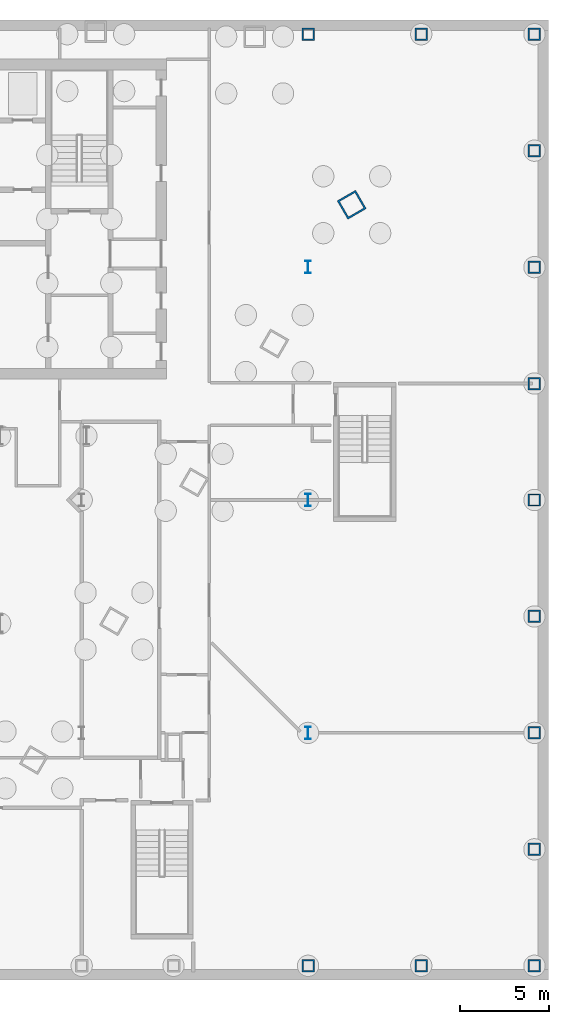
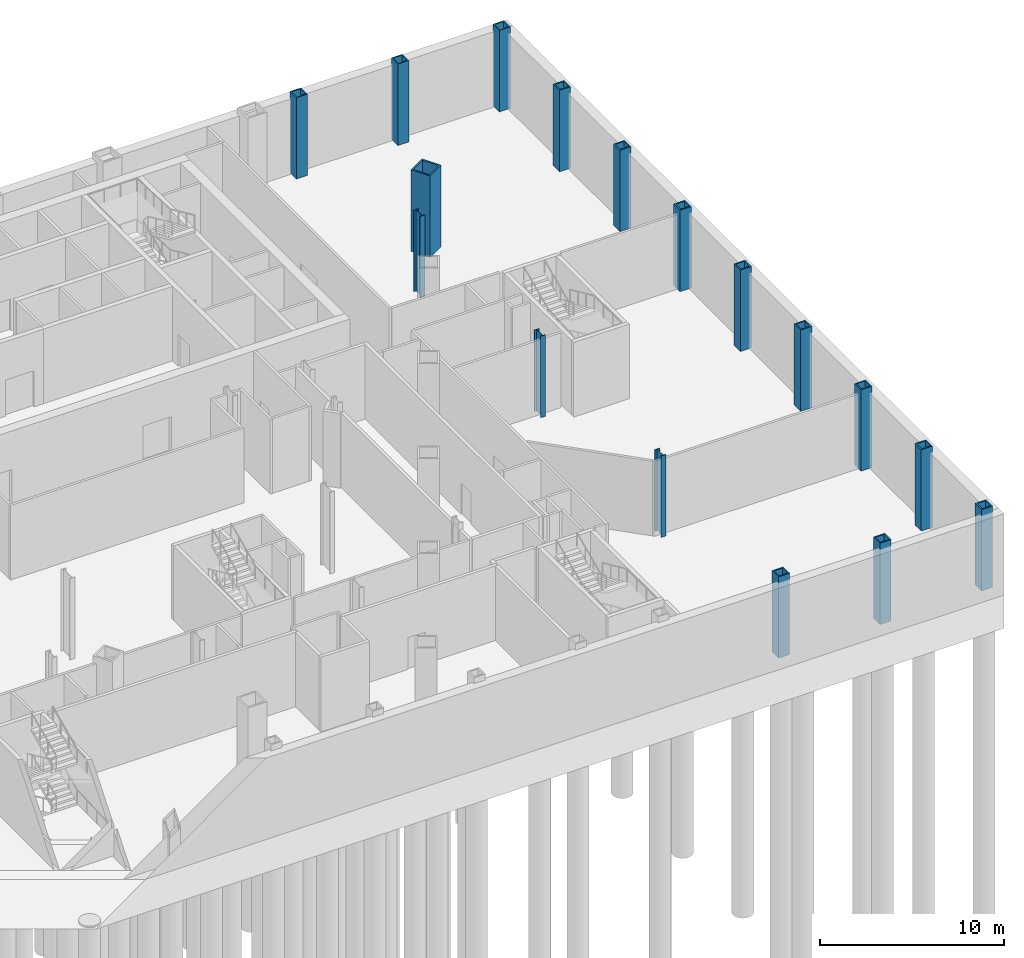
# One storey, part 4 of 19: 17 columns.
"""IFC4 building model written with IfcOpenShell, lengths in metres."""

from ifc_helpers import new_model, si_unit, direction, frame, origin, origin_2d, place, context, subcontext, project, spatial, hollow_rectangle, i_section, extrude, material, material_profile, profile_set, type_object, element, save


model = new_model("IFC4")

# Units and contexts
model_context = context("Model", 3, precision=1e-05, world=origin(), true_north=direction((0.0, 1.0)))
body_context = subcontext(model_context, "Body", "Model", "MODEL_VIEW")
ifc_project = project(units=[si_unit("LENGTHUNIT", "METRE"), si_unit("AREAUNIT", "SQUARE_METRE"), si_unit("VOLUMEUNIT", "CUBIC_METRE"), si_unit("PLANEANGLEUNIT", "RADIAN"), si_unit("MASSUNIT", "GRAM", prefix="KILO")], contexts=[model_context])

# Site, building, storey
site_placement = place(None, origin())
site = spatial("IfcSite", under=ifc_project, at=site_placement, CompositionType="ELEMENT")
building_placement = place(site_placement, origin())
building = spatial("IfcBuilding", under=site, at=building_placement, Name="Njiva Tower", CompositionType="ELEMENT")
storey_placement = place(building_placement, frame((0.0, 0.0, -16.8)))
storey = spatial("IfcBuildingStorey", under=building, at=storey_placement, Name="B3", CompositionType="ELEMENT", Elevation=-16.8)

# Columns
ifc_material = material(Name="Steel S355 J2", Category="steel")
ifc_material_profile_1 = material_profile(ifc_material, hollow_rectangle(XDim=1.2, YDim=1.2, WallThickness=0.1, at=origin_2d()), Name="BOX 1200x1200x100")
ifc_profile_set_1 = profile_set([ifc_material_profile_1], Name="Steel S355 J2")
column_type_1 = type_object("IfcColumnType", Name="C1 Mega-column BOX 1200x1200x100", PredefinedType="COLUMN", material=ifc_profile_set_1)
column_placement = place(storey_placement, frame((27.923, 9.808, 0.0), z_axis=(0.0, 0.0, 1.0), x_axis=(-0.5, 0.866025403784, 0.0)))
element("IfcColumn", 1, at=column_placement, inside=storey, type_object=column_type_1, Name="Mega-column B3-C18", PredefinedType="COLUMN", context=body_context, shape_type="SweptSolid", body=[
    extrude(hollow_rectangle(XDim=1.2, YDim=1.2, WallThickness=0.1, at=origin_2d()), origin(), (0.0, 0.0, 1.0), 5.4),
])
ifc_material_profile_2 = material_profile(ifc_material, hollow_rectangle(XDim=0.7, YDim=0.7, WallThickness=0.08, at=origin_2d()), Name="BOX 700x700x80")
ifc_profile_set_2 = profile_set([ifc_material_profile_2], Name="Steel S355 J2")
column_type_2 = type_object("IfcColumnType", Name="C3 Podium perimeter column BOX 700x700x80", PredefinedType="COLUMN", material=ifc_profile_set_2)
for number, where, z_axis, x_axis, name in (
    (2, (38.2, -33.0, 0.0), (0.0, 0.0, 1.0), (0.0, 1.0, 0.0), "Podium perimeter column B3-C27"),
    (3, (38.2, -26.45, 0.0), (0.0, 0.0, 1.0), (0.0, 1.0, 0.0), "Podium perimeter column B3-C28"),
    (4, (38.2, -19.9, 0.0), (0.0, 0.0, 1.0), (0.0, 1.0, 0.0), "Podium perimeter column B3-C29"),
    (5, (38.2, -13.35, 0.0), (0.0, 0.0, 1.0), (0.0, 1.0, 0.0), "Podium perimeter column B3-C30"),
    (6, (38.2, -6.8, 0.0), (0.0, 0.0, 1.0), (0.0, 1.0, 0.0), "Podium perimeter column B3-C31"),
    (7, (38.2, -0.25, 0.0), (0.0, 0.0, 1.0), (0.0, 1.0, 0.0), "Podium perimeter column B3-C32"),
    (8, (38.2, 6.3, 0.0), (0.0, 0.0, 1.0), (0.0, 1.0, 0.0), "Podium perimeter column B3-C33"),
    (9, (38.2, 12.85, 0.0), (0.0, 0.0, 1.0), (0.0, 1.0, 0.0), "Podium perimeter column B3-C34"),
    (10, (38.2, 19.4, 0.0), (0.0, 0.0, 1.0), (-1.0, 0.0, 0.0), "Podium perimeter column B3-C35"),
    (11, (31.833, 19.4, 0.0), (0.0, 0.0, 1.0), (-1.0, 0.0, 0.0), "Podium perimeter column B3-C36"),
    (12, (25.467, 19.4, 0.0), (0.0, 0.0, 1.0), (-1.0, 0.0, 0.0), "Podium perimeter column B3-C37"),
    (13, (25.467, -33.0, 0.0), (0.0, 0.0, 1.0), (1.0, 0.0, 0.0), "Podium perimeter column B3-C60"),
    (14, (31.833, -33.0, 0.0), (0.0, 0.0, 1.0), (1.0, 0.0, 0.0), "Podium perimeter column B3-C61"),
):
    element("IfcColumn", number, at=place(storey_placement, frame(where, z_axis=z_axis, x_axis=x_axis)), inside=storey, type_object=column_type_2, Name=name, PredefinedType="COLUMN", context=body_context, shape_type="SweptSolid", body=[
        extrude(hollow_rectangle(XDim=0.7, YDim=0.7, WallThickness=0.08, at=origin_2d()), origin(), (0.0, 0.0, 1.0), 5.4),
    ])
ifc_material_profile_3 = material_profile(ifc_material, i_section(OverallWidth=0.304, OverallDepth=0.716, WebThickness=0.021, FlangeThickness=0.04, at=origin_2d()), Name="HEM 700")
ifc_profile_set_3 = profile_set([ifc_material_profile_3], Name="Steel S355 J2")
column_type_3 = type_object("IfcColumnType", Name="C4 Station column HEM 700", PredefinedType="COLUMN", material=ifc_profile_set_3)
for number, where, z_axis, x_axis, name in (
    (15, (25.467, 6.3, 0.0), (0.0, 0.0, 1.0), (1.0, 0.0, 0.0), "Station column B3-C69"),
    (16, (25.467, -6.8, 0.0), (0.0, 0.0, 1.0), (1.0, 0.0, 0.0), "Station column B3-C70"),
    (17, (25.467, -19.9, 0.0), (0.0, 0.0, 1.0), (1.0, 0.0, 0.0), "Station column B3-C71"),
):
    element("IfcColumn", number, at=place(storey_placement, frame(where, z_axis=z_axis, x_axis=x_axis)), inside=storey, type_object=column_type_3, Name=name, PredefinedType="COLUMN", context=body_context, shape_type="SweptSolid", body=[
        extrude(i_section(OverallWidth=0.304, OverallDepth=0.716, WebThickness=0.021, FlangeThickness=0.04, at=origin_2d()), origin(), (0.0, 0.0, 1.0), 5.4),
    ])

save(model, "model.ifc")
